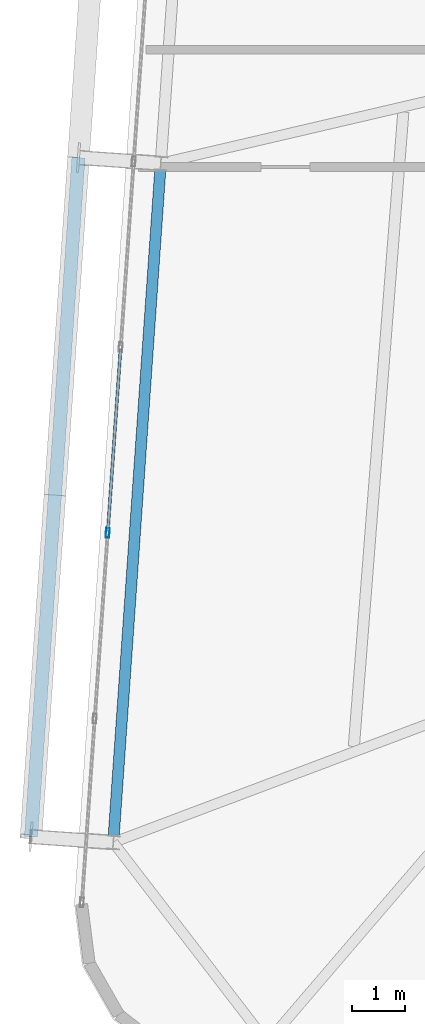
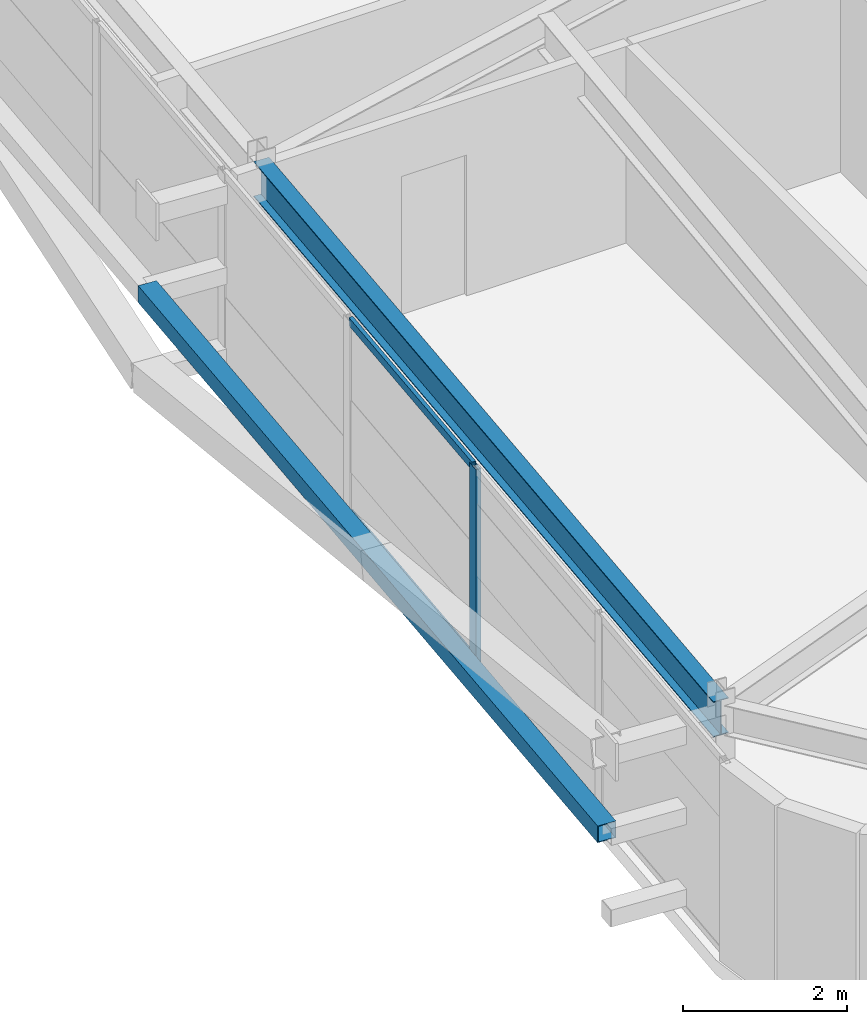
# One storey, part 9 of 47: 4 members, 1 beam, 1 element without a shape of its own.
"""IFC4 building model written with IfcOpenShell, lengths in metres."""

from ifc_helpers import new_model, si_unit, direction, frame, origin, origin_2d, place, context, subcontext, project, spatial, hollow_rectangle, i_section, extrude, source, transform, mapped, material, layer, layer_set, material_profile, profile_set, type_object, element, aggregate, save


model = new_model("IFC4")

# Units and contexts
model_context = context("Model", 3, precision=1e-05, world=origin(), true_north=direction((0.0, 1.0)))
body_context = subcontext(model_context, "Body", "Model", "MODEL_VIEW")
ifc_project = project(units=[si_unit("LENGTHUNIT", "METRE"), si_unit("AREAUNIT", "SQUARE_METRE"), si_unit("VOLUMEUNIT", "CUBIC_METRE"), si_unit("PLANEANGLEUNIT", "RADIAN"), si_unit("MASSUNIT", "GRAM", prefix="KILO")], contexts=[model_context])

# Site, building, storey
site_placement = place(None, origin())
site = spatial("IfcSite", under=ifc_project, at=site_placement, CompositionType="ELEMENT")
building_placement = place(site_placement, origin())
building = spatial("IfcBuilding", under=site, at=building_placement, Name="Taldren Reach Tower", CompositionType="ELEMENT")
storey_placement = place(building_placement, frame((0.0, 0.0, 142.449951171875)))
storey = spatial("IfcBuildingStorey", under=building, at=storey_placement, Name="L43", CompositionType="ELEMENT", Elevation=142.449951171875)

# Beam
ifc_material_1 = material(Name="Steel Gr 350 (350PLUS)", Category="steel")
ifc_material_profile_1 = material_profile(ifc_material_1, i_section(OverallWidth=0.208984375, OverallDepth=0.528076171875, WebThickness=0.009521484375, FlangeThickness=0.01318359375, at=origin_2d()), Name="530UB82.0")
ifc_profile_set_1 = profile_set([ifc_material_profile_1], Name="Steel Gr 350 (350PLUS)")
beam_type = type_object("IfcBeamType", Name="SP-UB530B", PredefinedType="SPANDREL", material=ifc_profile_set_1)
shared_shape_1 = source(origin(), body_context, "Body", "SweptSolid", [
    extrude(i_section(OverallWidth=0.208984375, OverallDepth=0.528076171875, WebThickness=0.009521484375, FlangeThickness=0.01318359375, at=origin_2d()), origin(), (0.0, 0.0, 1.0), 12.800048828125),
])
beam_placement = place(storey_placement, frame((9.86181640625, 21.868408203125, 2.666015625), z_axis=(-0.069770857464, -0.997563044348, 0.0), x_axis=(0.997563044348, -0.069770857464, 0.0)))
element("IfcBeam", 1, at=beam_placement, inside=storey, type_object=beam_type, Name="Perimeter spandrel B3 W2-W1 L43", PredefinedType="SPANDREL", context=body_context, shape_type="MappedRepresentation", body=[
    mapped(shared_shape_1, transform((0.0, 0.0, 0.0), scale=1.0)),
])

# Member
ifc_material_2 = material(Name="Steel Gr 350 (C350L0)", Category="steel")
ifc_material_profile_2 = material_profile(ifc_material_2, hollow_rectangle(XDim=0.25, YDim=0.25, WallThickness=0.010009765625, at=origin_2d()), Name="250x250x10.0SHS")
ifc_profile_set_2 = profile_set([ifc_material_profile_2], Name="Steel Gr 350 (C350L0)")
member_type_1 = type_object("IfcMemberType", Name="MB-POST250", PredefinedType="POST", material=ifc_profile_set_2)
shared_shape_2 = source(origin(), body_context, "Body", "SweptSolid", [
    extrude(hollow_rectangle(XDim=0.25, YDim=0.25, WallThickness=0.010009765625, at=origin_2d()), origin(), (0.0, 0.0, 1.0), 12.80029296875),
])
member_1_placement = place(storey_placement, frame((7.422607421875, 9.20751953125, 1.43505859375), z_axis=(0.069750549628, 0.997564464497, 0.0), x_axis=(-0.997564464497, 0.069750549628, 0.0)))
element("IfcMember", 2, at=member_1_placement, inside=storey, type_object=member_type_1, Name="Exoskeleton mid-height ring chord B3-W1 L43", PredefinedType="POST", context=body_context, shape_type="MappedRepresentation", body=[
    mapped(shared_shape_2, transform((0.0, 0.0, 0.0), scale=1.0)),
])

# Curtain wall, members
ifc_material_3 = material(Name="Aluminium and Low-E Glass Unitised System", Category="aluminium")
ifc_layer = layer(ifc_material_3, 0.159912109375)
ifc_layer_set = layer_set([ifc_layer], Name="Aluminium and Low-E Glass Unitised System")
curtain_wall_type = type_object("IfcCurtainWallType", Name="CW-SYS-4", PredefinedType="NOTDEFINED", material=ifc_layer_set)
curtain_wall_placement = place(storey_placement, origin())
curtain_wall = element("IfcCurtainWall", 3, at=curtain_wall_placement, inside=storey, type_object=curtain_wall_type, Name="Unitised curtain wall CW-L43-W", PredefinedType="NOTDEFINED")
ifc_material_4 = material(Name="Anodised Aluminium 6063-T6", Category="aluminium")
ifc_material_profile_3 = material_profile(ifc_material_4, hollow_rectangle(XDim=0.070068359375, YDim=0.179931640625, WallThickness=0.00390625, at=origin_2d()), Name="ALU-180x70x4RHS")
ifc_profile_set_3 = profile_set([ifc_material_profile_3], Name="Anodised Aluminium 6063-T6")
member_type_2 = type_object("IfcMemberType", Name="CW-MUL-180", PredefinedType="MULLION", material=ifc_profile_set_3)
shared_shape_3 = source(origin(), body_context, "Body", "SweptSolid", [
    extrude(hollow_rectangle(XDim=0.070068359375, YDim=0.179931640625, WallThickness=0.00390625, at=origin_2d()), origin(), (0.0, 0.0, 1.0), 2.929931640625),
])
member_2_placement = place(storey_placement, frame((8.86474609375, 14.9208984375, 0.0), z_axis=(0.0, 0.0, 1.0), x_axis=(0.997564052812, -0.069756437251, 0.0)))
member_2 = element("IfcMember", 4, at=member_2_placement, type_object=member_type_2, Name="CW-4 mullion 7", PredefinedType="MULLION", context=body_context, shape_type="MappedRepresentation", body=[
    mapped(shared_shape_3, transform((0.0, 0.0, 0.0), scale=1.0)),
])
ifc_material_profile_4 = material_profile(ifc_material_4, hollow_rectangle(XDim=0.054931640625, YDim=0.1201171875, WallThickness=0.0029296875, at=origin_2d()), Name="ALU-120x55x3RHS")
ifc_profile_set_4 = profile_set([ifc_material_profile_4], Name="Anodised Aluminium 6063-T6")
member_type_3 = type_object("IfcMemberType", Name="CW-TRN-135", PredefinedType="USERDEFINED", material=ifc_profile_set_4)
shared_shape_4 = source(origin(), body_context, "Body", "SweptSolid", [
    extrude(hollow_rectangle(XDim=0.054931640625, YDim=0.1201171875, WallThickness=0.0029296875, at=origin_2d()), origin(), (0.0, 0.0, 1.0), 3.429931640625),
])
member_3_placement = place(storey_placement, frame((9.1064453125, 18.37744140625, 0.027587890625), z_axis=(-0.069754754695, -0.997564170466, 0.0), x_axis=(0.997564170466, -0.069754754695, 0.0)))
member_3 = element("IfcMember", 5, at=member_3_placement, type_object=member_type_3, Name="CW-4 transom 6.1", ObjectType="TRANSOM", PredefinedType="USERDEFINED", context=body_context, shape_type="MappedRepresentation", body=[
    mapped(shared_shape_4, transform((0.0, 0.0, 0.0), scale=1.0)),
])
member_4_placement = place(storey_placement, frame((9.1064453125, 18.37744140625, 2.902587890625), z_axis=(-0.069754754695, -0.997564170466, 0.0), x_axis=(0.997564170466, -0.069754754695, 0.0)))
member_4 = element("IfcMember", 6, at=member_4_placement, type_object=member_type_3, Name="CW-4 transom 6.2", ObjectType="TRANSOM", PredefinedType="USERDEFINED", context=body_context, shape_type="MappedRepresentation", body=[
    mapped(shared_shape_4, transform((0.0, 0.0, 0.0), scale=1.0)),
])
aggregate(curtain_wall, [member_2, member_3, member_4])

save(model, "model.ifc")
